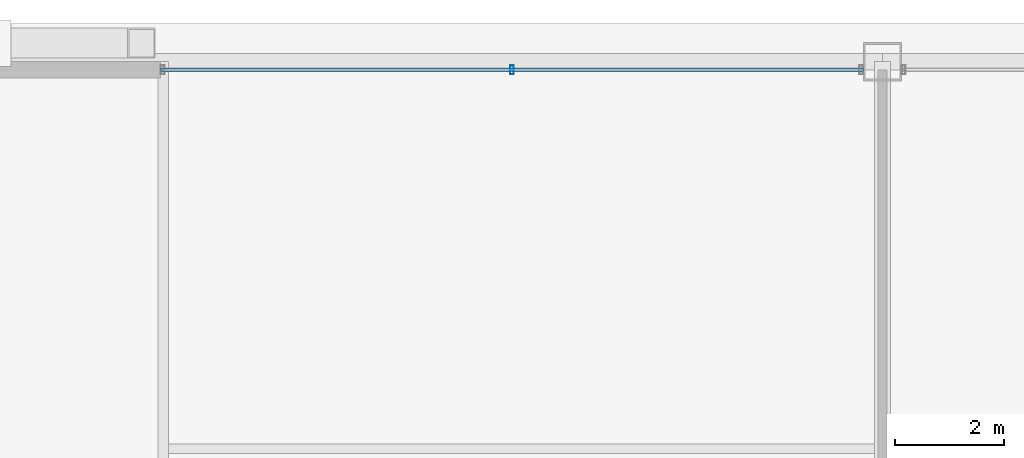
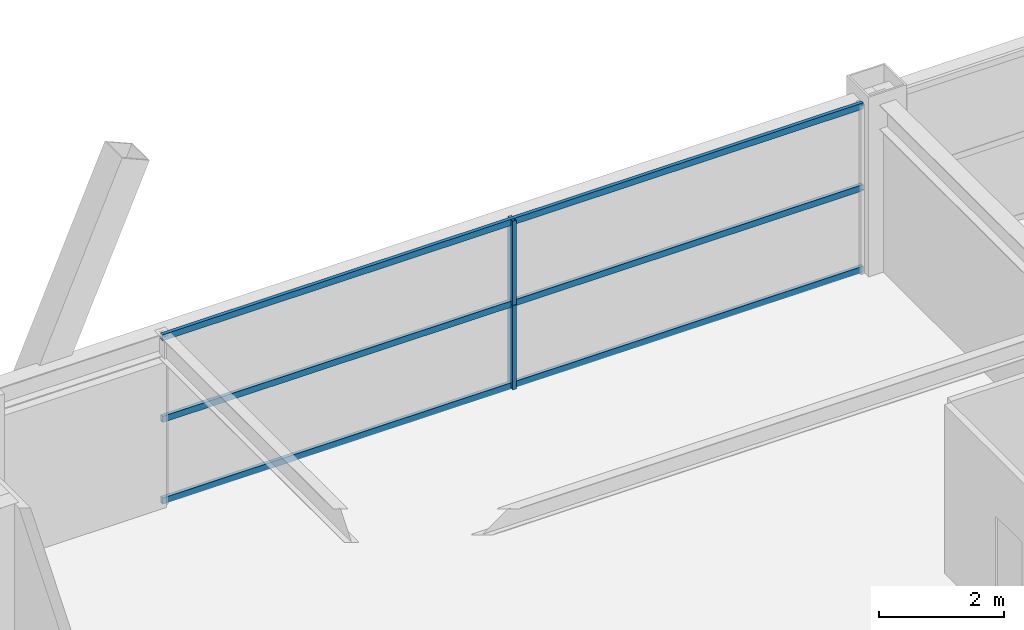
# One storey, part 25 of 35: 5 members, 1 element without a shape of its own.
"""IFC4 building model written with IfcOpenShell, lengths in metres."""

from ifc_helpers import new_model, si_unit, direction, frame, origin, origin_2d, place, context, subcontext, project, spatial, hollow_rectangle, extrude, source, transform, mapped, material, layer, layer_set, material_profile, profile_set, type_object, element, aggregate, save


model = new_model("IFC4")

# Units and contexts
model_context = context("Model", 3, precision=1e-05, world=origin(), true_north=direction((0.0, 1.0)))
body_context = subcontext(model_context, "Body", "Model", "MODEL_VIEW")
ifc_project = project(units=[si_unit("LENGTHUNIT", "METRE"), si_unit("AREAUNIT", "SQUARE_METRE"), si_unit("VOLUMEUNIT", "CUBIC_METRE"), si_unit("PLANEANGLEUNIT", "RADIAN"), si_unit("MASSUNIT", "GRAM", prefix="KILO"), si_unit("THERMODYNAMICTEMPERATUREUNIT", "KELVIN"), si_unit("POWERUNIT", "WATT")], contexts=[model_context])

# Site, building, storey
site_placement = place(None, origin())
site = spatial("IfcSite", under=ifc_project, at=site_placement, CompositionType="ELEMENT")
building_placement = place(site_placement, origin())
building = spatial("IfcBuilding", under=site, at=building_placement, Name="Yuzanri Waterfront Tower", CompositionType="ELEMENT")
storey_placement = place(building_placement, frame((0.0, 0.0, 271.60009765625)))
storey = spatial("IfcBuildingStorey", under=building, at=storey_placement, Name="L72", CompositionType="ELEMENT", Elevation=271.60009765625)

# Curtain wall, members
ifc_material_1 = material(Name="Anodized Architectural Bronze", Category="metal")
ifc_layer = layer(ifc_material_1, 0.159912109375)
ifc_layer_set = layer_set([ifc_layer], Name="Anodized Architectural Bronze")
curtain_wall_type = type_object("IfcCurtainWallType", Name="Anodized Bronze Mid-Rise Residential Acoustic Unitized Curtain Wall 7200", PredefinedType="NOTDEFINED", material=ifc_layer_set)
curtain_wall_placement = place(storey_placement, origin())
curtain_wall = element("IfcCurtainWall", 1, at=curtain_wall_placement, inside=storey, type_object=curtain_wall_type, Name="L72 Curtain Wall CW-L72-NL", PredefinedType="NOTDEFINED")
ifc_material_2 = material(Name="Anodized Architectural Bronze", Category="metal")
ifc_material_profile_1 = material_profile(ifc_material_2, hollow_rectangle(XDim=0.06494140625, YDim=0.159912109375, WallThickness=0.00341796875, at=origin_2d()), Name="CWM 65x160")
ifc_profile_set_1 = profile_set([ifc_material_profile_1], Name="Anodized Architectural Bronze")
member_type_1 = type_object("IfcMemberType", Name="Anodized Bronze Upper-Zone Curtain-Wall Mullion 65x160", PredefinedType="MULLION", material=ifc_profile_set_1)
shared_shape_1 = source(origin(), body_context, "Body", "SweptSolid", [
    extrude(hollow_rectangle(XDim=0.06494140625, YDim=0.159912109375, WallThickness=0.00341796875, at=origin_2d()), origin(), (0.0, 0.0, 1.0), 1.637939453125),
])
member_1_placement = place(storey_placement, frame((30.199951171875, 46.25, 0.0), z_axis=(0.0, 0.0, 1.0), x_axis=(1.0, 0.0, 0.0)))
member_1 = element("IfcMember", 2, at=member_1_placement, type_object=member_type_1, Name="CW-L72-NL Lower Mullion 01", PredefinedType="MULLION", context=body_context, shape_type="MappedRepresentation", body=[
    mapped(shared_shape_1, transform((0.0, 0.0, 0.0), scale=1.0)),
])
member_2_placement = place(storey_placement, frame((30.199951171875, 46.25, 1.641845703125), z_axis=(0.0, 0.0, 1.0), x_axis=(1.0, 0.0, 0.0)))
member_2 = element("IfcMember", 3, at=member_2_placement, type_object=member_type_1, Name="CW-L72-NL Upper Mullion 01", PredefinedType="MULLION", context=body_context, shape_type="MappedRepresentation", body=[
    mapped(shared_shape_1, transform((0.0, 0.0, 0.0), scale=1.0)),
])
ifc_material_3 = material(Name="Anodized Architectural Bronze", Category="metal")
ifc_material_profile_2 = material_profile(ifc_material_3, hollow_rectangle(XDim=0.06494140625, YDim=0.1201171875, WallThickness=0.00341796875, at=origin_2d()), Name="CWT 65x120")
ifc_profile_set_2 = profile_set([ifc_material_profile_2], Name="Anodized Architectural Bronze")
member_type_2 = type_object("IfcMemberType", Name="Anodized Bronze Secondary Curtain-Wall Transom 65x120", PredefinedType="USERDEFINED", material=ifc_profile_set_2)
shared_shape_2 = source(origin(), body_context, "Body", "SweptSolid", [
    extrude(hollow_rectangle(XDim=0.06494140625, YDim=0.1201171875, WallThickness=0.00341796875, at=origin_2d()), origin(), (0.0, 0.0, 1.0), 12.89990234375),
])
member_3_placement = place(storey_placement, frame((23.75, 46.25, 0.0498046875), z_axis=(1.0, 0.0, 0.0), x_axis=(0.0, 1.0, 0.0)))
member_3 = element("IfcMember", 4, at=member_3_placement, type_object=member_type_2, Name="CW-L72-NL Transom 1", ObjectType="TRANSOM", PredefinedType="USERDEFINED", context=body_context, shape_type="MappedRepresentation", body=[
    mapped(shared_shape_2, transform((0.0, 0.0, 0.0), scale=1.0)),
])
member_4_placement = place(storey_placement, frame((23.75, 46.25, 1.639892578125), z_axis=(1.0, 0.0, 0.0), x_axis=(0.0, 1.0, 0.0)))
member_4 = element("IfcMember", 5, at=member_4_placement, type_object=member_type_2, Name="CW-L72-NL Transom 2", ObjectType="TRANSOM", PredefinedType="USERDEFINED", context=body_context, shape_type="MappedRepresentation", body=[
    mapped(shared_shape_2, transform((0.0, 0.0, 0.0), scale=1.0)),
])
member_5_placement = place(storey_placement, frame((23.75, 46.25, 3.22998046875), z_axis=(1.0, 0.0, 0.0), x_axis=(0.0, 1.0, 0.0)))
member_5 = element("IfcMember", 6, at=member_5_placement, type_object=member_type_2, Name="CW-L72-NL Transom 3", ObjectType="TRANSOM", PredefinedType="USERDEFINED", context=body_context, shape_type="MappedRepresentation", body=[
    mapped(shared_shape_2, transform((0.0, 0.0, 0.0), scale=1.0)),
])
aggregate(curtain_wall, [member_1, member_2, member_3, member_4, member_5])

save(model, "model.ifc")
